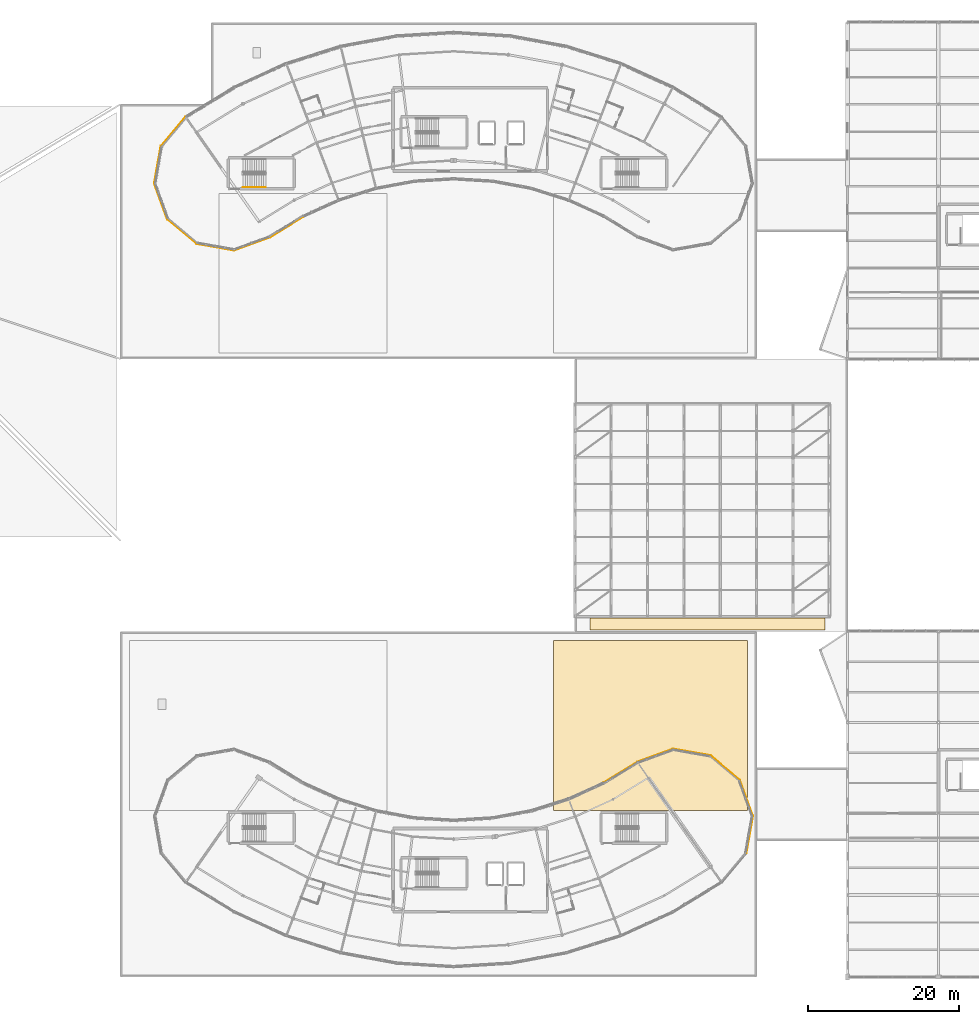
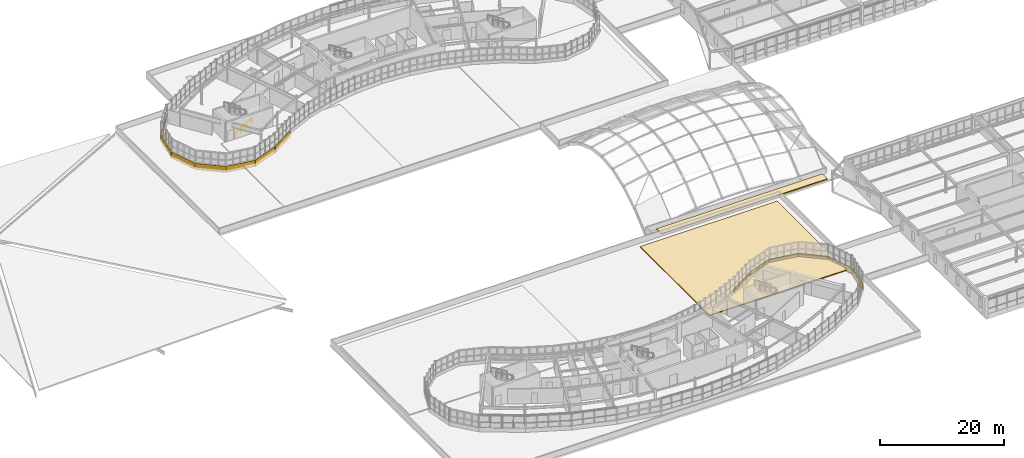
# One storey, part 118 of 128: 15 coverings, 1 railing.
"""IFC4 building model written with IfcOpenShell, lengths in metres."""

from ifc_helpers import new_model, si_unit, direction, frame, origin, origin_2d, place, context, subcontext, project, spatial, rectangle, circle, extrude, material, layer, layer_set, type_object, element, save


model = new_model("IFC4")

# Units and contexts
model_context = context("Model", 3, precision=1e-05, world=origin(), true_north=direction((0.0, 1.0)))
body_context = subcontext(model_context, "Body", "Model", "MODEL_VIEW")
ifc_project = project(units=[si_unit("LENGTHUNIT", "METRE"), si_unit("AREAUNIT", "SQUARE_METRE"), si_unit("VOLUMEUNIT", "CUBIC_METRE"), si_unit("PLANEANGLEUNIT", "RADIAN"), si_unit("MASSUNIT", "GRAM", prefix="KILO")], contexts=[model_context])

# Site, building, storey
site_placement = place(None, origin())
site = spatial("IfcSite", under=ifc_project, at=site_placement, CompositionType="ELEMENT")
building_placement = place(site_placement, origin())
building = spatial("IfcBuilding", under=site, at=building_placement, Name="Tarnwether General Hospital", CompositionType="ELEMENT")
storey_placement = place(building_placement, frame((0.0, 0.0, 14.39990234375)))
storey = spatial("IfcBuildingStorey", under=building, at=storey_placement, Name="L03", CompositionType="ELEMENT", Elevation=14.39990234375)

# Coverings
ifc_material_1 = material(Name="Streamlined white enamelled aluminium", Category="aluminium")
ifc_layer_1 = layer(ifc_material_1, 0.044921875)
ifc_layer_set_1 = layer_set([ifc_layer_1], Name="Streamlined white enamelled aluminium")
covering_type_1 = type_object("IfcCoveringType", Name="CV-CLD-WHT", PredefinedType="CLADDING", material=ifc_layer_set_1)
covering_1_placement = place(storey_placement, frame((52.912109375, 107.22900390625, -0.1748046875), z_axis=(0.0, 0.0, 1.0), x_axis=(0.173459104952, 0.984841072919, 0.0)))
element("IfcCovering", 1, at=covering_1_placement, inside=storey, type_object=covering_type_1, Name="Streamlined White Horizontal Band NW L03 01", PredefinedType="CLADDING", context=body_context, shape_type="SweptSolid", body=[
    extrude(rectangle(XDim=4.968994140625, YDim=0.044921875, at=origin_2d()), origin(), (0.0, 0.0, 1.0), 1.25),
])
covering_2_placement = place(storey_placement, frame((53.3359375, 102.37890625, -0.1748046875), z_axis=(0.0, 0.0, 1.0), x_axis=(-0.341954539571, 0.939716496006, 0.0)))
element("IfcCovering", 2, at=covering_2_placement, inside=storey, type_object=covering_type_1, Name="Streamlined White Horizontal Band NW L03 02", PredefinedType="CLADDING", context=body_context, shape_type="SweptSolid", body=[
    extrude(rectangle(XDim=4.968017578125, YDim=0.044921875, at=origin_2d()), origin(), (0.0, 0.0, 1.0), 1.25),
])
for number, where, z_axis, x_axis, name in (
    (3, (56.12890625, 98.39111328125, -0.1748046875), (0.0, 0.0, 1.0), (-0.765988346401, 0.642854457228, 0.0), "Streamlined White Horizontal Band NW L03 03"),
    (4, (60.541015625, 96.333984375, -0.1748046875), (0.0, 0.0, 1.0), (-0.98480472213, 0.173665365778, 0.0), "Streamlined White Horizontal Band NW L03 04"),
):
    element("IfcCovering", number, at=place(storey_placement, frame(where, z_axis=z_axis, x_axis=x_axis)), inside=storey, type_object=covering_type_1, Name=name, PredefinedType="CLADDING", context=body_context, shape_type="SweptSolid", body=[
        extrude(rectangle(XDim=4.969970703125, YDim=0.044921875, at=origin_2d()), origin(), (0.0, 0.0, 1.0), 1.25),
    ])
covering_3_placement = place(storey_placement, frame((65.39111328125, 96.758056640625, -0.1748046875), z_axis=(0.0, 0.0, 1.0), x_axis=(-0.93965082813, -0.342134945884, 0.0)))
element("IfcCovering", 5, at=covering_3_placement, inside=storey, type_object=covering_type_1, Name="Streamlined White Horizontal Band NW L03 05", PredefinedType="CLADDING", context=body_context, shape_type="SweptSolid", body=[
    extrude(rectangle(XDim=4.968994140625, YDim=0.044921875, at=origin_2d()), origin(), (0.0, 0.0, 1.0), 1.25),
])
covering_4_placement = place(storey_placement, frame((69.9560546875, 98.971923828125, -0.1748046875), z_axis=(0.0, 0.0, 1.0), x_axis=(-0.852631044904, -0.522513446015, 0.0)))
element("IfcCovering", 6, at=covering_4_placement, inside=storey, type_object=covering_type_1, Name="Streamlined White Horizontal Band NW L03 06", PredefinedType="CLADDING", context=body_context, shape_type="SweptSolid", body=[
    extrude(rectangle(XDim=5.177001953125, YDim=0.044921875, at=origin_2d()), origin(), (0.0, 0.0, 1.0), 1.25),
])
covering_5_placement = place(storey_placement, frame((54.968994140625, 111.64111328125, -0.1748046875), z_axis=(0.0, 0.0, 1.0), x_axis=(0.642854457228, 0.765988346401, 0.0)))
element("IfcCovering", 7, at=covering_5_placement, inside=storey, type_object=covering_type_1, Name="Streamlined White Horizontal Band NW L03 32", PredefinedType="CLADDING", context=body_context, shape_type="SweptSolid", body=[
    extrude(rectangle(XDim=4.969970703125, YDim=0.044921875, at=origin_2d()), origin(), (0.0, 0.0, 1.0), 1.25),
])
covering_6_placement = place(storey_placement, frame((131.087890625, 18.77099609375, -0.1748046875), z_axis=(0.0, 0.0, 1.0), x_axis=(-0.173459104952, -0.984841072919, 0.0)))
element("IfcCovering", 8, at=covering_6_placement, inside=storey, type_object=covering_type_1, Name="Streamlined White Horizontal Band SE L03 12", PredefinedType="CLADDING", context=body_context, shape_type="SweptSolid", body=[
    extrude(rectangle(XDim=4.968994140625, YDim=0.044921875, at=origin_2d()), origin(), (0.0, 0.0, 1.0), 1.25),
])
covering_7_placement = place(storey_placement, frame((130.6640625, 23.62109375, -0.1748046875), z_axis=(0.0, 0.0, 1.0), x_axis=(0.341954539571, -0.939716496006, 0.0)))
element("IfcCovering", 9, at=covering_7_placement, inside=storey, type_object=covering_type_1, Name="Streamlined White Horizontal Band SE L03 13", PredefinedType="CLADDING", context=body_context, shape_type="SweptSolid", body=[
    extrude(rectangle(XDim=4.968017578125, YDim=0.044921875, at=origin_2d()), origin(), (0.0, 0.0, 1.0), 1.25),
])
for number, where, z_axis, x_axis, name in (
    (10, (127.87109375, 27.60888671875, -0.1748046875), (0.0, 0.0, 1.0), (0.765988346401, -0.642854457228, 0.0), "Streamlined White Horizontal Band SE L03 14"),
    (11, (123.458984375, 29.666015625, -0.1748046875), (0.0, 0.0, 1.0), (0.98480472213, -0.173665365778, 0.0), "Streamlined White Horizontal Band SE L03 15"),
):
    element("IfcCovering", number, at=place(storey_placement, frame(where, z_axis=z_axis, x_axis=x_axis)), inside=storey, type_object=covering_type_1, Name=name, PredefinedType="CLADDING", context=body_context, shape_type="SweptSolid", body=[
        extrude(rectangle(XDim=4.969970703125, YDim=0.044921875, at=origin_2d()), origin(), (0.0, 0.0, 1.0), 1.25),
    ])
covering_8_placement = place(storey_placement, frame((118.60888671875, 29.241943359375, -0.1748046875), z_axis=(0.0, 0.0, 1.0), x_axis=(0.93965082813, 0.342134945884, 0.0)))
element("IfcCovering", 12, at=covering_8_placement, inside=storey, type_object=covering_type_1, Name="Streamlined White Horizontal Band SE L03 16", PredefinedType="CLADDING", context=body_context, shape_type="SweptSolid", body=[
    extrude(rectangle(XDim=4.968994140625, YDim=0.044921875, at=origin_2d()), origin(), (0.0, 0.0, 1.0), 1.25),
])
covering_9_placement = place(storey_placement, frame((114.0439453125, 27.028076171875, -0.1748046875), z_axis=(0.0, 0.0, 1.0), x_axis=(0.852631044904, 0.522513446015, 0.0)))
element("IfcCovering", 13, at=covering_9_placement, inside=storey, type_object=covering_type_1, Name="Streamlined White Horizontal Band SE L03 17", PredefinedType="CLADDING", context=body_context, shape_type="SweptSolid", body=[
    extrude(rectangle(XDim=5.177001953125, YDim=0.044921875, at=origin_2d()), origin(), (0.0, 0.0, 1.0), 1.25),
])
ifc_material_2 = material(Name="Planted green roof media")
ifc_layer_2 = layer(ifc_material_2, 0.179931640625)
ifc_layer_set_2 = layer_set([ifc_layer_2], Name="Planted green roof media")
covering_type_2 = type_object("IfcCoveringType", Name="CV-RFG-GRN", PredefinedType="ROOFING", material=ifc_layer_set_2)
covering_10_placement = place(storey_placement, frame((125.5, 46.60009765625, 0.330078125), z_axis=(0.0, 0.0, 1.0), x_axis=(1.0, 0.0, 0.0)))
element("IfcCovering", 14, at=covering_10_placement, inside=storey, type_object=covering_type_2, Name="Planted Healing Roof Garden Turf CV-GDN-L03MH", PredefinedType="ROOFING", context=body_context, shape_type="SweptSolid", body=[
    extrude(rectangle(XDim=31.0, YDim=1.60009765625, at=origin_2d()), origin(), (0.0, 0.0, 1.0), 0.179931640625),
])
covering_11_placement = place(storey_placement, frame((118.0, 33.199951171875, 0.330078125), z_axis=(0.0, 0.0, 1.0), x_axis=(1.0, 0.0, 0.0)))
element("IfcCovering", 15, at=covering_11_placement, inside=storey, type_object=covering_type_2, Name="Stepped Podium Green Roof Garden CV-POD-S2", PredefinedType="ROOFING", context=body_context, shape_type="SweptSolid", body=[
    extrude(rectangle(XDim=25.60009765625, YDim=22.39990234375, at=origin_2d()), origin(), (0.0, 0.0, 1.0), 0.179931640625),
])

# Railing
ifc_material_3 = material(Name="Anodised aluminium", Category="aluminium")
railing_type = type_object("IfcRailingType", Name="RL-HND-INT", PredefinedType="HANDRAIL", material=ifc_material_3)
railing_placement = place(storey_placement, frame((64.199951171875, 104.25, 0.177490234375)))
element("IfcRailing", 16, at=railing_placement, inside=storey, type_object=railing_type, Name="L03 ST-07 stair handrail 1", PredefinedType="HANDRAIL", context=body_context, shape_type="SweptSolid", body=[
    extrude(circle(Radius=0.02392578125, at=origin_2d()), frame((0.0, 0.0, 0.8759765625), z_axis=(0.86092931783, 0.0, 0.508724591208), x_axis=(0.0, 1.0, 0.0)), (0.0, 0.0, 1.0), 3.484619140625),
    extrude(circle(Radius=0.02099609375, at=origin_2d()), origin(), (0.0, 0.0, 1.0), 0.851806640625),
    extrude(circle(Radius=0.02099609375, at=origin_2d()), frame((1.0, 0.0, 0.5908203125)), (0.0, 0.0, 1.0), 0.851806640625),
    extrude(circle(Radius=0.02099609375, at=origin_2d()), frame((2.0, 0.0, 1.181884765625)), (0.0, 0.0, 1.0), 0.851806640625),
    extrude(circle(Radius=0.02099609375, at=origin_2d()), frame((3.0, 0.0, 1.772705078125)), (0.0, 0.0, 1.0), 0.851806640625),
])

save(model, "model.ifc")
